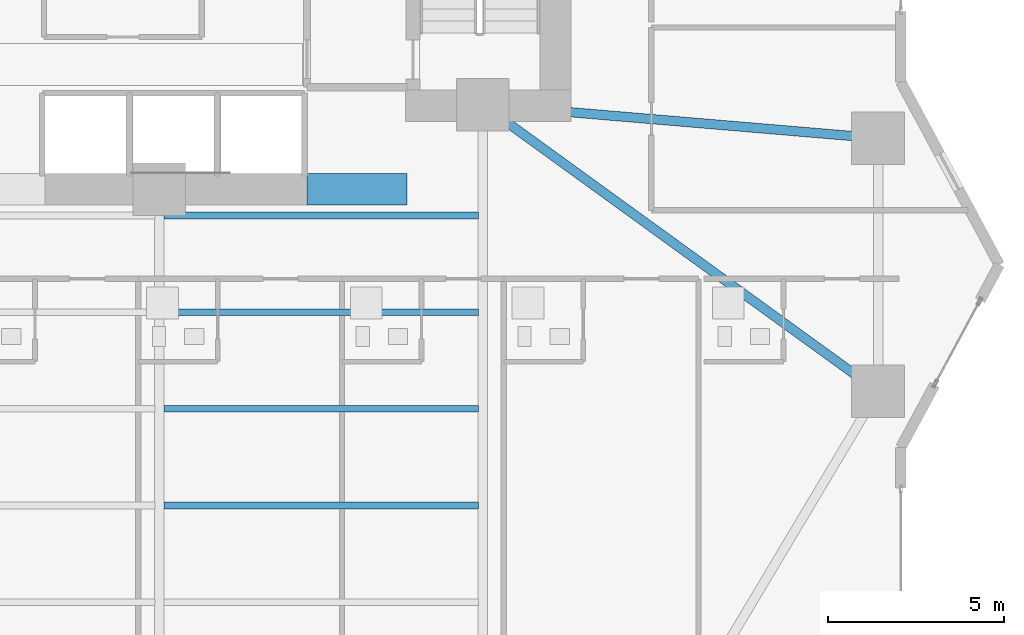
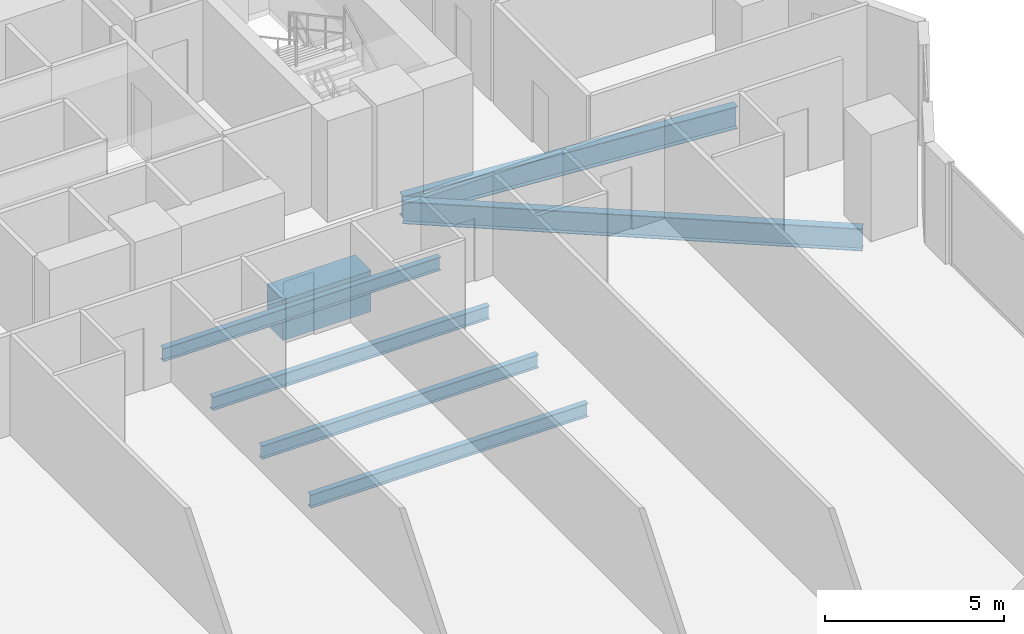
# One storey, part 11 of 28: 7 beams.
"""IFC4 building model written with IfcOpenShell, lengths in metres."""

from ifc_helpers import new_model, si_unit, direction, frame, origin, origin_2d, place, context, subcontext, project, spatial, rectangle, i_section, extrude, material, material_profile, profile_set, type_object, element, save


model = new_model("IFC4")

# Units and contexts
model_context = context("Model", 3, precision=1e-05, world=origin(), true_north=direction((0.0, 1.0)))
body_context = subcontext(model_context, "Body", "Model", "MODEL_VIEW")
ifc_project = project(units=[si_unit("LENGTHUNIT", "METRE"), si_unit("AREAUNIT", "SQUARE_METRE"), si_unit("VOLUMEUNIT", "CUBIC_METRE"), si_unit("PLANEANGLEUNIT", "RADIAN"), si_unit("MASSUNIT", "GRAM", prefix="KILO")], contexts=[model_context])

# Site, building, storey
site_placement = place(None, origin())
site = spatial("IfcSite", under=ifc_project, at=site_placement, CompositionType="ELEMENT")
building_placement = place(site_placement, origin())
building = spatial("IfcBuilding", under=site, at=building_placement, Name="Zuhayl Quay Hotel", CompositionType="ELEMENT")
storey_placement = place(building_placement, frame((0.0, 0.0, 34.89990234375)))
storey = spatial("IfcBuildingStorey", under=building, at=storey_placement, Name="L07", CompositionType="ELEMENT", Elevation=34.89990234375)

# Beams
ifc_material_1 = material(Name="Steel ASTM A992 Grade 50", Category="steel")
ifc_material_profile_1 = material_profile(ifc_material_1, i_section(OverallWidth=0.26708984375, OverallDepth=0.761962890625, WebThickness=0.014404296875, FlangeThickness=0.021484375, at=origin_2d()), Name="W30X116")
ifc_profile_set_1 = profile_set([ifc_material_profile_1], Name="Steel ASTM A992 Grade 50")
beam_type_1 = type_object("IfcBeamType", Name="BM_B1_W30X116", PredefinedType="BEAM", material=ifc_profile_set_1)
beam_1_placement = place(storey_placement, frame((14.164306640625, 4.285888671875, -0.600830078125), z_axis=(0.809830244688, -0.586664277751, 0.0), x_axis=(0.586664277751, 0.809830244688, 0.0)))
element("IfcBeam", 1, at=beam_1_placement, inside=storey, type_object=beam_type_1, Name="L07 Floor Beam FG_E_L07_1", PredefinedType="BEAM", context=body_context, shape_type="SweptSolid", body=[
    extrude(i_section(OverallWidth=0.26708984375, OverallDepth=0.761962890625, WebThickness=0.014404296875, FlangeThickness=0.021484375, at=origin_2d()), origin(), (0.0, 0.0, 1.0), 12.94189453125),
])
beam_2_placement = place(storey_placement, frame((14.248291015625, 4.51220703125, -0.600830078125), z_axis=(0.996453145398, -0.084149444594, 0.0), x_axis=(0.084149444594, 0.996453145398, 0.0)))
element("IfcBeam", 2, at=beam_2_placement, inside=storey, type_object=beam_type_1, Name="L07 Floor Beam FG_E_L07_2", PredefinedType="BEAM", context=body_context, shape_type="SweptSolid", body=[
    extrude(i_section(OverallWidth=0.26708984375, OverallDepth=0.761962890625, WebThickness=0.014404296875, FlangeThickness=0.021484375, at=origin_2d()), origin(), (0.0, 0.0, 1.0), 10.340087890625),
])
ifc_material_2 = material(Name="Concrete C60/75", Category="concrete")
ifc_material_profile_2 = material_profile(ifc_material_2, rectangle(XDim=0.89990234375, YDim=1.39990234375, at=origin_2d()), Name="RC900X1400")
ifc_profile_set_2 = profile_set([ifc_material_profile_2], Name="Concrete C60/75")
beam_type_2 = type_object("IfcBeamType", Name="BM_CB1_RC900", PredefinedType="T_BEAM", material=ifc_profile_set_2)
beam_3_placement = place(storey_placement, frame((8.800048828125, 2.14990234375, -0.919921875), z_axis=(1.0, 0.0, 0.0), x_axis=(0.0, 1.0, 0.0)))
element("IfcBeam", 3, at=beam_3_placement, inside=storey, type_object=beam_type_2, Name="L07 Core Coupling Beam SE", PredefinedType="T_BEAM", context=body_context, shape_type="SweptSolid", body=[
    extrude(rectangle(XDim=0.89990234375, YDim=1.39990234375, at=origin_2d()), origin(), (0.0, 0.0, 1.0), 2.849853515625),
])
ifc_material_profile_3 = material_profile(ifc_material_1, i_section(OverallWidth=0.18994140625, OverallDepth=0.45703125, WebThickness=0.009033203125, FlangeThickness=0.014404296875, at=origin_2d()), Name="W18X50")
ifc_profile_set_3 = profile_set([ifc_material_profile_3], Name="Steel ASTM A992 Grade 50")
beam_type_3 = type_object("IfcBeamType", Name="BM_J2_W18X50", PredefinedType="JOIST", material=ifc_profile_set_3)
for number, where, z_axis, x_axis, name in (
    (4, (4.7255859375, -6.85009765625, -0.448486328125), (1.0, 0.0, 0.0), (0.0, 1.0, 0.0), "L07 Floor Beam FJ_L07_7_3"),
    (5, (4.7255859375, -4.10009765625, -0.448486328125), (1.0, 0.0, 0.0), (0.0, 1.0, 0.0), "L07 Floor Beam FJ_L07_8_3"),
    (6, (4.7255859375, -1.35009765625, -0.448486328125), (1.0, 0.0, 0.0), (0.0, 1.0, 0.0), "L07 Floor Beam FJ_L07_9_3"),
    (7, (4.7255859375, 1.39990234375, -0.448486328125), (1.0, 0.0, 0.0), (0.0, 1.0, 0.0), "L07 Floor Beam FJ_L07_10_3"),
):
    element("IfcBeam", number, at=place(storey_placement, frame(where, z_axis=z_axis, x_axis=x_axis)), inside=storey, type_object=beam_type_3, Name=name, PredefinedType="JOIST", context=body_context, shape_type="SweptSolid", body=[
        extrude(i_section(OverallWidth=0.18994140625, OverallDepth=0.45703125, WebThickness=0.009033203125, FlangeThickness=0.014404296875, at=origin_2d()), origin(), (0.0, 0.0, 1.0), 8.948974609375),
    ])

save(model, "model.ifc")
